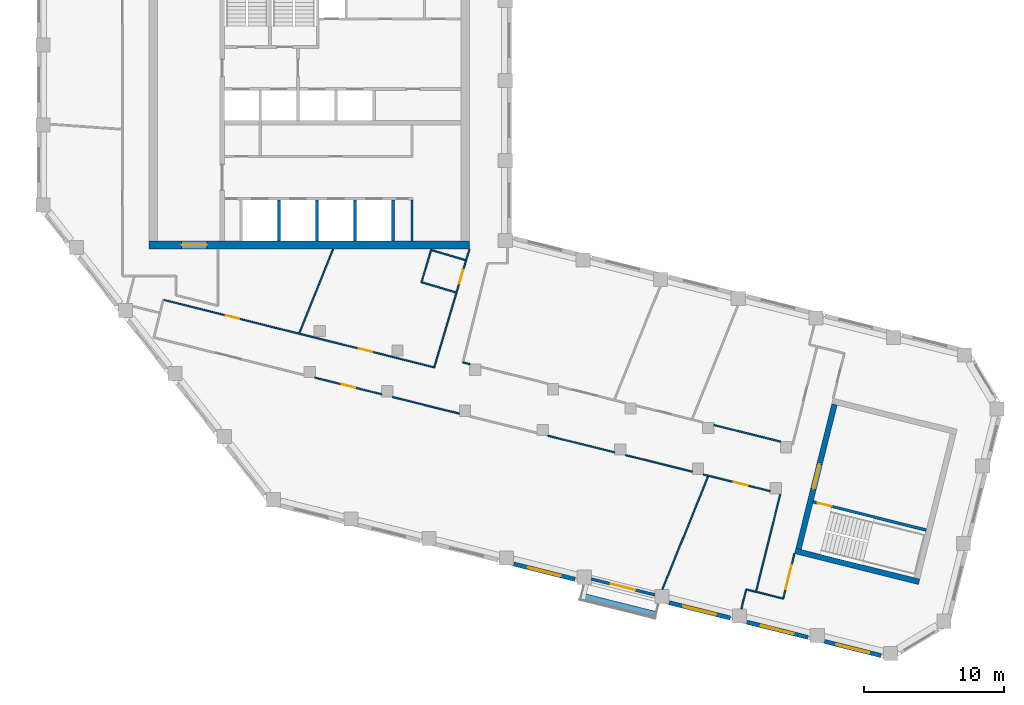
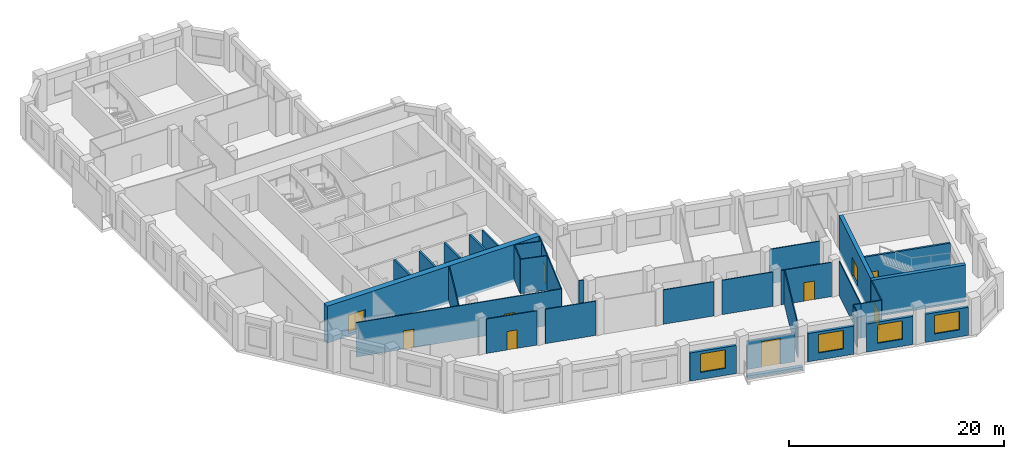
# One storey, part 3 of 9: 34 walls, 10 doors, 4 windows, 14 openings.
"""IFC4 building model written with IfcOpenShell, lengths in metres."""

from ifc_helpers import new_model, si_unit, direction, frame, frame_2d, origin, place, context, subcontext, project, spatial, rectangle, extrude, material, layer, layer_set, type_object, element, fill, save


model = new_model("IFC4")

# Units and contexts
model_context = context("Model", 3, precision=1e-05, world=origin(), true_north=direction((0.0, 1.0)))
body_context = subcontext(model_context, "Body", "Model", "MODEL_VIEW")
ifc_project = project(units=[si_unit("LENGTHUNIT", "METRE"), si_unit("AREAUNIT", "SQUARE_METRE"), si_unit("VOLUMEUNIT", "CUBIC_METRE"), si_unit("PLANEANGLEUNIT", "RADIAN"), si_unit("MASSUNIT", "GRAM", prefix="KILO")], contexts=[model_context])

# Site, building, storey
site_placement = place(None, origin())
site = spatial("IfcSite", under=ifc_project, at=site_placement, CompositionType="ELEMENT")
building_placement = place(site_placement, origin())
building = spatial("IfcBuilding", under=site, at=building_placement, Name="Meshkara Civic Tower", CompositionType="ELEMENT")
storey_placement = place(building_placement, frame((0.0, 0.0, 302.39990234375)))
storey = spatial("IfcBuildingStorey", under=building, at=storey_placement, Name="L69", CompositionType="ELEMENT", Elevation=302.39990234375)

# Wall
ifc_material_1 = material(Name="Blockwork", Category="masonry")
ifc_layer_1 = layer(ifc_material_1, 0.14990234375)
ifc_layer_set_1 = layer_set([ifc_layer_1], Name="Core partition 150")
wall_type_1 = type_object("IfcWallType", Name="Core partition 150", PredefinedType="PARTITIONING", material=ifc_layer_set_1)
wall_1_placement = place(storey_placement, frame((26.699951171875, 14.699951171875, 0.0), z_axis=(0.0, 0.0, 1.0), x_axis=(0.0, 1.0, 0.0)))
element("IfcWall", 1, at=wall_1_placement, inside=storey, type_object=wall_type_1, Name="L69-C024", PredefinedType="PARTITIONING", context=body_context, shape_type="SweptSolid", body=[
    extrude(rectangle(XDim=2.900146484375, YDim=0.14990234375, at=frame_2d((1.4501953125, 0.0))), origin(), (0.0, 0.0, 1.0), 3.900146484375),
])

# Wall, opening, door
ifc_material_2 = material(Name="Concrete C60", Category="concrete")
ifc_layer_2 = layer(ifc_material_2, 0.60009765625)
ifc_layer_set_2 = layer_set([ifc_layer_2], Name="Core ring wall 600 C60")
wall_type_2 = type_object("IfcWallType", Name="Core ring wall 600 C60", PredefinedType="SHEAR", material=ifc_layer_set_2)
wall_2_placement = place(storey_placement, frame((8.0, 14.39990234375, -0.2998046875), z_axis=(0.0, 0.0, 1.0), x_axis=(1.0, 0.0, 0.0)))
wall_2 = element("IfcWall", 2, at=wall_2_placement, inside=storey, type_object=wall_type_2, Name="L69-C001", PredefinedType="SHEAR", context=body_context, shape_type="SweptSolid", body=[
    extrude(rectangle(XDim=22.800048828125, YDim=0.60009765625, at=frame_2d((11.39990234375, 0.0))), origin(), (0.0, 0.0, 1.0), 4.199951171875),
])
opening_1_placement = place(wall_2_placement, frame((2.300048828125, 0.0, 0.300048828125)))
opening_1 = element("IfcOpeningElement", 3, at=opening_1_placement, cuts=wall_2, Name="Opening L69-K023", PredefinedType="OPENING", context=body_context, shape_type="SweptSolid", body=[
    extrude(rectangle(XDim=1.800048828125, YDim=2.10009765625, at=frame_2d((0.89990234375, 1.050048828125))), frame((0.0, 0.31005859375, 0.0), z_axis=(0.0, -1.0, 0.0), x_axis=(1.0, 0.0, 0.0)), (0.0, 0.0, 1.0), 0.6201171875),
])
ifc_material_3 = material(Name="Fire-rated door leaf in steel frame", Category="steel")
door_type_1 = type_object("IfcDoorType", Name="Core double door 1800 EI 60", OperationType="DOUBLE_DOOR_SINGLE_SWING", PredefinedType="DOOR", material=ifc_material_3)
door_1_placement = place(opening_1_placement, origin())
door_1 = element("IfcDoor", 4, at=door_1_placement, inside=storey, type_object=door_type_1, Name="L69-K023", OperationType="DOUBLE_DOOR_SINGLE_SWING", OverallHeight=2.10009765625, OverallWidth=1.800048828125, PredefinedType="DOOR", context=body_context, shape_type="SweptSolid", body=[
    extrude(rectangle(XDim=1.800048828125, YDim=2.10009765625, at=frame_2d((0.89990234375, 1.050048828125))), frame((0.0, 0.02490234375, 0.0), z_axis=(0.0, -1.0, 0.0), x_axis=(1.0, 0.0, 0.0)), (0.0, 0.0, 1.0), 0.050048828125),
])
fill(opening_1, door_1)

# Wall, openings, doors
ifc_material_4 = material(Name="Corridor wall 100")
ifc_layer_3 = layer(ifc_material_4, 0.10009765625)
ifc_layer_set_3 = layer_set([ifc_layer_3], Name="Corridor wall 100")
wall_type_3 = type_object("IfcWallType", Name="Corridor wall 100", PredefinedType="PARTITIONING", material=ifc_layer_set_3)
wall_3_placement = place(storey_placement, frame((9.001953125, 10.4990234375, 0.0), z_axis=(0.0, 0.0, 1.0), x_axis=(0.970298340477, -0.241911410372, 0.0)))
wall_3 = element("IfcWall", 5, at=wall_3_placement, inside=storey, type_object=wall_type_3, Name="L69-W007", PredefinedType="PARTITIONING", context=body_context, shape_type="SweptSolid", body=[
    extrude(rectangle(XDim=19.879638671875, YDim=0.10009765625, at=frame_2d((9.93994140625, 0.0))), origin(), (0.0, 0.0, 1.0), 3.900146484375),
])
opening_2_placement = place(wall_3_placement, frame((4.580078125, 0.0, 0.0)))
opening_2 = element("IfcOpeningElement", 6, at=opening_2_placement, cuts=wall_3, Name="Opening L69-D009", PredefinedType="OPENING", context=body_context, shape_type="SweptSolid", body=[
    extrude(rectangle(XDim=1.0, YDim=2.10009765625, at=frame_2d((0.5, 1.050048828125))), frame((0.0, 0.06005859375, 0.0), z_axis=(0.0, -1.0, 0.0), x_axis=(1.0, 0.0, 0.0)), (0.0, 0.0, 1.0), 0.1201171875),
])
opening_3_placement = place(wall_3_placement, frame((14.343017578125, 0.0, 0.0)))
opening_3 = element("IfcOpeningElement", 7, at=opening_3_placement, cuts=wall_3, Name="Opening L69-D010", PredefinedType="OPENING", context=body_context, shape_type="SweptSolid", body=[
    extrude(rectangle(XDim=1.0, YDim=2.10009765625, at=frame_2d((0.5, 1.050048828125))), frame((0.0, 0.06005859375, 0.0), z_axis=(0.0, -1.0, 0.0), x_axis=(1.0, 0.0, 0.0)), (0.0, 0.0, 1.0), 0.1201171875),
])
ifc_material_5 = material(Name="Door 1000 x 2100")
door_type_2 = type_object("IfcDoorType", Name="Door 1000 x 2100", OperationType="SINGLE_SWING_LEFT", PredefinedType="DOOR", material=ifc_material_5)
door_2_placement = place(opening_2_placement, origin())
door_2 = element("IfcDoor", 8, at=door_2_placement, inside=storey, type_object=door_type_2, Name="L69-D009", OperationType="SINGLE_SWING_RIGHT", OverallHeight=2.10009765625, OverallWidth=1.0, PredefinedType="DOOR", context=body_context, shape_type="SweptSolid", body=[
    extrude(rectangle(XDim=1.0, YDim=2.10009765625, at=frame_2d((0.5, 1.050048828125))), frame((0.0, 0.02490234375, 0.0), z_axis=(0.0, -1.0, 0.0), x_axis=(1.0, 0.0, 0.0)), (0.0, 0.0, 1.0), 0.050048828125),
])
fill(opening_2, door_2)
door_3_placement = place(opening_3_placement, origin())
door_3 = element("IfcDoor", 9, at=door_3_placement, inside=storey, type_object=door_type_2, Name="L69-D010", OperationType="SINGLE_SWING_LEFT", OverallHeight=2.10009765625, OverallWidth=1.0, PredefinedType="DOOR", context=body_context, shape_type="SweptSolid", body=[
    extrude(rectangle(XDim=1.0, YDim=2.10009765625, at=frame_2d((0.5, 1.050048828125))), frame((0.0, 0.02490234375, 0.0), z_axis=(0.0, -1.0, 0.0), x_axis=(1.0, 0.0, 0.0)), (0.0, 0.0, 1.0), 0.050048828125),
])
fill(opening_3, door_3)

# Wall, opening, door
wall_4_placement = place(storey_placement, frame((19.785888671875, 4.9599609375, 0.0), z_axis=(0.0, 0.0, 1.0), x_axis=(0.970335085454, -0.241763979817, 0.0)))
wall_4 = element("IfcWall", 10, at=wall_4_placement, inside=storey, type_object=wall_type_3, Name="L69-W016", PredefinedType="PARTITIONING", context=body_context, shape_type="SweptSolid", body=[
    extrude(rectangle(XDim=4.913818359375, YDim=0.10009765625, at=frame_2d((2.45703125, 0.0))), origin(), (0.0, 0.0, 1.0), 3.900146484375),
])
opening_4_placement = place(wall_4_placement, frame((1.97998046875, 0.0, 0.0)))
opening_4 = element("IfcOpeningElement", 11, at=opening_4_placement, cuts=wall_4, Name="Opening L69-D003", PredefinedType="OPENING", context=body_context, shape_type="SweptSolid", body=[
    extrude(rectangle(XDim=1.0, YDim=2.10009765625, at=frame_2d((0.5, 1.050048828125))), frame((0.0, 0.06005859375, 0.0), z_axis=(0.0, -1.0, 0.0), x_axis=(1.0, 0.0, 0.0)), (0.0, 0.0, 1.0), 0.1201171875),
])
door_4_placement = place(opening_4_placement, origin())
door_4 = element("IfcDoor", 12, at=door_4_placement, inside=storey, type_object=door_type_2, Name="L69-D003", OperationType="SINGLE_SWING_LEFT", OverallHeight=2.10009765625, OverallWidth=1.0, PredefinedType="DOOR", context=body_context, shape_type="SweptSolid", body=[
    extrude(rectangle(XDim=1.0, YDim=2.10009765625, at=frame_2d((0.5, 1.050048828125))), frame((0.0, 0.02490234375, 0.0), z_axis=(0.0, -1.0, 0.0), x_axis=(1.0, 0.0, 0.0)), (0.0, 0.0, 1.0), 0.050048828125),
])
fill(opening_4, door_4)

# Wall
wall_5_placement = place(storey_placement, frame((25.319091796875, 3.5810546875, 0.0), z_axis=(0.0, 0.0, 1.0), x_axis=(0.970308932068, -0.2418689239, 0.0)))
element("IfcWall", 13, at=wall_5_placement, inside=storey, type_object=wall_type_3, Name="L69-W019", PredefinedType="PARTITIONING", context=body_context, shape_type="SweptSolid", body=[
    extrude(rectangle(XDim=4.91162109375, YDim=0.10009765625, at=frame_2d((2.455810546875, 0.0))), origin(), (0.0, 0.0, 1.0), 3.900146484375),
])

# Wall, opening, door
wall_6_placement = place(storey_placement, frame((28.291015625, 5.68994140625, 0.0), z_axis=(0.0, 0.0, 1.0), x_axis=(0.28588265334, 0.958264633867, 0.0)))
wall_6 = element("IfcWall", 14, at=wall_6_placement, inside=storey, type_object=wall_type_3, Name="L69-W020", PredefinedType="PARTITIONING", context=body_context, shape_type="SweptSolid", body=[
    extrude(rectangle(XDim=8.7763671875, YDim=0.10009765625, at=frame_2d((4.38818359375, 0.0))), origin(), (0.0, 0.0, 1.0), 3.900146484375),
])
opening_5_placement = place(wall_6_placement, frame((6.22998046875, 0.0, 0.0)))
opening_5 = element("IfcOpeningElement", 15, at=opening_5_placement, cuts=wall_6, Name="Opening L69-D012", PredefinedType="OPENING", context=body_context, shape_type="SweptSolid", body=[
    extrude(rectangle(XDim=1.0, YDim=2.10009765625, at=frame_2d((0.5, 1.050048828125))), frame((0.0, 0.06005859375, 0.0), z_axis=(0.0, -1.0, 0.0), x_axis=(1.0, 0.0, 0.0)), (0.0, 0.0, 1.0), 0.1201171875),
])
door_5_placement = place(opening_5_placement, origin())
door_5 = element("IfcDoor", 16, at=door_5_placement, inside=storey, type_object=door_type_2, Name="L69-D012", OperationType="SINGLE_SWING_LEFT", OverallHeight=2.10009765625, OverallWidth=1.0, PredefinedType="DOOR", context=body_context, shape_type="SweptSolid", body=[
    extrude(rectangle(XDim=1.0, YDim=2.10009765625, at=frame_2d((0.5, 1.050048828125))), frame((0.0, 0.02490234375, 0.0), z_axis=(0.0, -1.0, 0.0), x_axis=(1.0, 0.0, 0.0)), (0.0, 0.0, 1.0), 0.050048828125),
])
fill(opening_5, door_5)

# Walls
wall_7_placement = place(storey_placement, frame((30.844970703125, 5.9130859375, 0.0), z_axis=(0.0, 0.0, 1.0), x_axis=(-0.970279216762, 0.241988102022, 0.0)))
element("IfcWall", 17, at=wall_7_placement, inside=storey, type_object=wall_type_3, Name="L69-W022", PredefinedType="PARTITIONING", context=body_context, shape_type="SweptSolid", body=[
    extrude(rectangle(XDim=0.524658203125, YDim=0.10009765625, at=frame_2d((0.26220703125, 0.0))), origin(), (0.0, 0.0, 1.0), 3.900146484375),
])
for number, where, z_axis, x_axis, name in (
    (18, (36.383056640625, 0.822998046875, 0.0), (0.0, 0.0, 1.0), (0.970274007865, -0.242008986738, 0.0), "L69-W027"),
    (19, (41.9140625, -0.555908203125, 0.0), (0.0, 0.0, 1.0), (0.970274007865, -0.242008986738, 0.0), "L69-W030"),
):
    element("IfcWall", number, at=place(storey_placement, frame(where, z_axis=z_axis, x_axis=x_axis)), inside=storey, type_object=wall_type_3, Name=name, PredefinedType="PARTITIONING", context=body_context, shape_type="SweptSolid", body=[
        extrude(rectangle(XDim=4.908935546875, YDim=0.10009765625, at=frame_2d((2.45458984375, 0.0))), origin(), (0.0, 0.0, 1.0), 3.900146484375),
    ])

# Wall, opening, door
wall_8_placement = place(storey_placement, frame((47.444091796875, -1.93505859375, 0.0), z_axis=(0.0, 0.0, 1.0), x_axis=(0.970285656006, -0.241962281665, 0.0)))
wall_8 = element("IfcWall", 20, at=wall_8_placement, inside=storey, type_object=wall_type_3, Name="L69-W032", PredefinedType="PARTITIONING", context=body_context, shape_type="SweptSolid", body=[
    extrude(rectangle(XDim=4.909912109375, YDim=0.10009765625, at=frame_2d((2.455078125, 0.0))), origin(), (0.0, 0.0, 1.0), 3.900146484375),
])
opening_6_placement = place(wall_8_placement, frame((2.2470703125, 0.0, 0.0)))
opening_6 = element("IfcOpeningElement", 21, at=opening_6_placement, cuts=wall_8, Name="Opening L69-D002", PredefinedType="OPENING", context=body_context, shape_type="SweptSolid", body=[
    extrude(rectangle(XDim=1.0, YDim=2.10009765625, at=frame_2d((0.5, 1.050048828125))), frame((0.0, 0.06005859375, 0.0), z_axis=(0.0, -1.0, 0.0), x_axis=(1.0, 0.0, 0.0)), (0.0, 0.0, 1.0), 0.1201171875),
])
door_6_placement = place(opening_6_placement, origin())
door_6 = element("IfcDoor", 22, at=door_6_placement, inside=storey, type_object=door_type_2, Name="L69-D002", OperationType="SINGLE_SWING_LEFT", OverallHeight=2.10009765625, OverallWidth=1.0, PredefinedType="DOOR", context=body_context, shape_type="SweptSolid", body=[
    extrude(rectangle(XDim=1.0, YDim=2.10009765625, at=frame_2d((0.5, 1.050048828125))), frame((0.0, 0.02490234375, 0.0), z_axis=(0.0, -1.0, 0.0), x_axis=(1.0, 0.0, 0.0)), (0.0, 0.0, 1.0), 0.050048828125),
])
fill(opening_6, door_6)

# Walls
wall_9_placement = place(storey_placement, frame((51.200927734375, -10.2919921875, 0.0), z_axis=(0.0, 0.0, 1.0), x_axis=(0.970307382734, -0.241875139301, 0.0)))
element("IfcWall", 23, at=wall_9_placement, inside=storey, type_object=wall_type_3, Name="L69-W033", PredefinedType="PARTITIONING", context=body_context, shape_type="SweptSolid", body=[
    extrude(rectangle(XDim=2.00048828125, YDim=0.10009765625, at=frame_2d((1.000244140625, 0.0))), origin(), (0.0, 0.0, 1.0), 3.900146484375),
])
wall_10_placement = place(storey_placement, frame((52.94091796875, -3.31396484375, 0.0), z_axis=(0.0, 0.0, 1.0), x_axis=(-0.241944492524, -0.97029009195, 0.0)))
element("IfcWall", 24, at=wall_10_placement, inside=storey, type_object=wall_type_3, Name="L69-W034", PredefinedType="PARTITIONING", context=body_context, shape_type="SweptSolid", body=[
    extrude(rectangle(XDim=7.191650390625, YDim=0.10009765625, at=frame_2d((3.595703125, 0.0))), origin(), (0.0, 0.0, 1.0), 3.900146484375),
])
wall_11_placement = place(storey_placement, frame((52.971923828125, 0.39697265625, 0.0), z_axis=(0.0, 0.0, 1.0), x_axis=(-0.970300077675, 0.241904442422, 0.0)))
element("IfcWall", 25, at=wall_11_placement, inside=storey, type_object=wall_type_3, Name="L69-W035", PredefinedType="PARTITIONING", context=body_context, shape_type="SweptSolid", body=[
    extrude(rectangle(XDim=4.9150390625, YDim=0.10009765625, at=frame_2d((2.45751953125, 0.0))), origin(), (0.0, 0.0, 1.0), 3.900146484375),
])

# Wall, opening, door
wall_12_placement = place(storey_placement, frame((53.14208984375, -10.77587890625, 0.0), z_axis=(0.0, 0.0, 1.0), x_axis=(0.241786986316, 0.970329352977, 0.0)))
wall_12 = element("IfcWall", 26, at=wall_12_placement, inside=storey, type_object=wall_type_3, Name="L69-W036", PredefinedType="PARTITIONING", context=body_context, shape_type="SweptSolid", body=[
    extrude(rectangle(XDim=3.2998046875, YDim=0.10009765625, at=frame_2d((1.64990234375, 0.0))), origin(), (0.0, 0.0, 1.0), 3.900146484375),
])
opening_7_placement = place(wall_12_placement, frame((0.679931640625, 0.0, 0.0)))
opening_7 = element("IfcOpeningElement", 27, at=opening_7_placement, cuts=wall_12, Name="Opening L69-D001", PredefinedType="OPENING", context=body_context, shape_type="SweptSolid", body=[
    extrude(rectangle(XDim=1.800048828125, YDim=2.10009765625, at=frame_2d((0.89990234375, 1.050048828125))), frame((0.0, 0.06005859375, 0.0), z_axis=(0.0, -1.0, 0.0), x_axis=(1.0, 0.0, 0.0)), (0.0, 0.0, 1.0), 0.1201171875),
])
ifc_material_6 = material(Name="Door pair 1800 x 2100")
door_type_3 = type_object("IfcDoorType", Name="Door pair 1800 x 2100", OperationType="SINGLE_SWING_LEFT", PredefinedType="DOOR", material=ifc_material_6)
door_7_placement = place(opening_7_placement, origin())
door_7 = element("IfcDoor", 28, at=door_7_placement, inside=storey, type_object=door_type_3, Name="L69-D001", OperationType="DOUBLE_DOOR_SINGLE_SWING", OverallHeight=2.10009765625, OverallWidth=1.800048828125, PredefinedType="DOOR", context=body_context, shape_type="SweptSolid", body=[
    extrude(rectangle(XDim=1.800048828125, YDim=2.10009765625, at=frame_2d((0.89990234375, 1.050048828125))), frame((0.0, 0.02490234375, 0.0), z_axis=(0.0, -1.0, 0.0), x_axis=(1.0, 0.0, 0.0)), (0.0, 0.0, 1.0), 0.050048828125),
])
fill(opening_7, door_7)

# Wall, opening, window
ifc_material_7 = material(Name="Insulated infill panel with bronze anodised aluminium cladding", Category="aluminium")
ifc_layer_4 = layer(ifc_material_7, 0.300048828125)
ifc_layer_set_4 = layer_set([ifc_layer_4], Name="EXTERNAL INFILL WALL 300")
wall_type_4 = type_object("IfcWallType", Name="EXTERNAL INFILL WALL 300", PredefinedType="SOLIDWALL", material=ifc_layer_set_4)
wall_13_placement = place(storey_placement, frame((33.958984375, -8.31201171875, 0.0), z_axis=(0.0, 0.0, 1.0), x_axis=(0.970276766004, -0.241997928406, 0.0)))
wall_13 = element("IfcWall", 29, at=wall_13_placement, inside=storey, type_object=wall_type_4, Name="External wall", PredefinedType="SOLIDWALL", context=body_context, shape_type="SweptSolid", body=[
    extrude(rectangle(XDim=4.4873046875, YDim=0.300048828125, at=frame_2d((2.24365234375, 0.0))), origin(), (0.0, 0.0, 1.0), 3.2001953125),
])
opening_8_placement = place(wall_13_placement, frame((1.0439453125, 0.0, 0.800048828125)))
opening_8 = element("IfcOpeningElement", 30, at=opening_8_placement, cuts=wall_13, Name="Opening W7", PredefinedType="OPENING", context=body_context, shape_type="SweptSolid", body=[
    extrude(rectangle(XDim=2.39990234375, YDim=2.10009765625, at=frame_2d((1.199951171875, 1.050048828125))), frame((0.0, 0.159912109375, 0.0), z_axis=(0.0, -1.0, 0.0), x_axis=(1.0, 0.0, 0.0)), (0.0, 0.0, 1.0), 0.320068359375),
])
ifc_material_8 = material(Name="Tinted double glazing", Category="glass")
window_type = type_object("IfcWindowType", Name="WINDOW 2400x2100", PartitioningType="DOUBLE_PANEL_VERTICAL", PredefinedType="WINDOW", material=ifc_material_8)
window_1_placement = place(opening_8_placement, origin())
window_1 = element("IfcWindow", 31, at=window_1_placement, inside=storey, type_object=window_type, Name="Window", OverallHeight=2.10009765625, OverallWidth=2.39990234375, PartitioningType="DOUBLE_PANEL_VERTICAL", PredefinedType="WINDOW", context=body_context, shape_type="SweptSolid", body=[
    extrude(rectangle(XDim=2.39990234375, YDim=2.10009765625, at=frame_2d((1.199951171875, 1.050048828125))), frame((0.0, 0.030029296875, 0.0), z_axis=(0.0, -1.0, 0.0), x_axis=(1.0, 0.0, 0.0)), (0.0, 0.0, 1.0), 0.06005859375),
])
fill(opening_8, window_1)

wall_14_placement = place(storey_placement, frame((45.02001953125, -11.070068359375, 0.0), z_axis=(0.0, 0.0, 1.0), x_axis=(0.970276766004, -0.241997928406, 0.0)))
wall_14 = element("IfcWall", 32, at=wall_14_placement, inside=storey, type_object=wall_type_4, Name="External wall", PredefinedType="SOLIDWALL", context=body_context, shape_type="SweptSolid", body=[
    extrude(rectangle(XDim=4.4873046875, YDim=0.300048828125, at=frame_2d((2.24365234375, 0.0))), origin(), (0.0, 0.0, 1.0), 3.2001953125),
])
opening_9_placement = place(wall_14_placement, frame((1.0439453125, 0.0, 0.800048828125)))
opening_9 = element("IfcOpeningElement", 33, at=opening_9_placement, cuts=wall_14, Name="Opening W7", PredefinedType="OPENING", context=body_context, shape_type="SweptSolid", body=[
    extrude(rectangle(XDim=2.39990234375, YDim=2.10009765625, at=frame_2d((1.199951171875, 1.050048828125))), frame((0.0, 0.159912109375, 0.0), z_axis=(0.0, -1.0, 0.0), x_axis=(1.0, 0.0, 0.0)), (0.0, 0.0, 1.0), 0.320068359375),
])
window_2_placement = place(opening_9_placement, origin())
window_2 = element("IfcWindow", 34, at=window_2_placement, inside=storey, type_object=window_type, Name="Window", OverallHeight=2.10009765625, OverallWidth=2.39990234375, PartitioningType="DOUBLE_PANEL_VERTICAL", PredefinedType="WINDOW", context=body_context, shape_type="SweptSolid", body=[
    extrude(rectangle(XDim=2.39990234375, YDim=2.10009765625, at=frame_2d((1.199951171875, 1.050048828125))), frame((0.0, 0.030029296875, 0.0), z_axis=(0.0, -1.0, 0.0), x_axis=(1.0, 0.0, 0.0)), (0.0, 0.0, 1.0), 0.06005859375),
])
fill(opening_9, window_2)

wall_15_placement = place(storey_placement, frame((50.551025390625, -12.448974609375, 0.0), z_axis=(0.0, 0.0, 1.0), x_axis=(0.970276766004, -0.241997928406, 0.0)))
wall_15 = element("IfcWall", 35, at=wall_15_placement, inside=storey, type_object=wall_type_4, Name="External wall", PredefinedType="SOLIDWALL", context=body_context, shape_type="SweptSolid", body=[
    extrude(rectangle(XDim=4.4873046875, YDim=0.300048828125, at=frame_2d((2.24365234375, 0.0))), origin(), (0.0, 0.0, 1.0), 3.2001953125),
])
opening_10_placement = place(wall_15_placement, frame((1.0439453125, 0.0, 0.800048828125)))
opening_10 = element("IfcOpeningElement", 36, at=opening_10_placement, cuts=wall_15, Name="Opening W7", PredefinedType="OPENING", context=body_context, shape_type="SweptSolid", body=[
    extrude(rectangle(XDim=2.39990234375, YDim=2.10009765625, at=frame_2d((1.199951171875, 1.050048828125))), frame((0.0, 0.159912109375, 0.0), z_axis=(0.0, -1.0, 0.0), x_axis=(1.0, 0.0, 0.0)), (0.0, 0.0, 1.0), 0.320068359375),
])
window_3_placement = place(opening_10_placement, origin())
window_3 = element("IfcWindow", 37, at=window_3_placement, inside=storey, type_object=window_type, Name="Window", OverallHeight=2.10009765625, OverallWidth=2.39990234375, PartitioningType="DOUBLE_PANEL_VERTICAL", PredefinedType="WINDOW", context=body_context, shape_type="SweptSolid", body=[
    extrude(rectangle(XDim=2.39990234375, YDim=2.10009765625, at=frame_2d((1.199951171875, 1.050048828125))), frame((0.0, 0.030029296875, 0.0), z_axis=(0.0, -1.0, 0.0), x_axis=(1.0, 0.0, 0.0)), (0.0, 0.0, 1.0), 0.06005859375),
])
fill(opening_10, window_3)

wall_16_placement = place(storey_placement, frame((56.0810546875, -13.827880859375, 0.0), z_axis=(0.0, 0.0, 1.0), x_axis=(0.970246294139, -0.242120070853, 0.0)))
wall_16 = element("IfcWall", 38, at=wall_16_placement, inside=storey, type_object=wall_type_4, Name="External wall", PredefinedType="SOLIDWALL", context=body_context, shape_type="SweptSolid", body=[
    extrude(rectangle(XDim=4.147216796875, YDim=0.300048828125, at=frame_2d((2.07373046875, 0.0))), origin(), (0.0, 0.0, 1.0), 3.2001953125),
])
opening_11_placement = place(wall_16_placement, frame((0.8740234375, 0.0, 0.800048828125)))
opening_11 = element("IfcOpeningElement", 39, at=opening_11_placement, cuts=wall_16, Name="Opening W7", PredefinedType="OPENING", context=body_context, shape_type="SweptSolid", body=[
    extrude(rectangle(XDim=2.39990234375, YDim=2.10009765625, at=frame_2d((1.199951171875, 1.050048828125))), frame((0.0, 0.159912109375, 0.0), z_axis=(0.0, -1.0, 0.0), x_axis=(1.0, 0.0, 0.0)), (0.0, 0.0, 1.0), 0.320068359375),
])
window_4_placement = place(opening_11_placement, origin())
window_4 = element("IfcWindow", 40, at=window_4_placement, inside=storey, type_object=window_type, Name="Window", OverallHeight=2.10009765625, OverallWidth=2.39990234375, PartitioningType="DOUBLE_PANEL_VERTICAL", PredefinedType="WINDOW", context=body_context, shape_type="SweptSolid", body=[
    extrude(rectangle(XDim=2.39990234375, YDim=2.10009765625, at=frame_2d((1.199951171875, 1.050048828125))), frame((0.0, 0.030029296875, 0.0), z_axis=(0.0, -1.0, 0.0), x_axis=(1.0, 0.0, 0.0)), (0.0, 0.0, 1.0), 0.06005859375),
])
fill(opening_11, window_4)

# Wall
ifc_material_9 = material(Name="Concrete C60", Category="concrete")
ifc_layer_5 = layer(ifc_material_9, 0.39990234375)
ifc_layer_set_5 = layer_set([ifc_layer_5], Name="End core ring wall 400 C60")
wall_type_5 = type_object("IfcWallType", Name="End core ring wall 400 C60", PredefinedType="SHEAR", material=ifc_layer_set_5)
wall_17_placement = place(storey_placement, frame((53.988037109375, -7.3798828125, -0.2998046875), z_axis=(0.0, 0.0, 1.0), x_axis=(0.970281210621, -0.241980107272, 0.0)))
element("IfcWall", 41, at=wall_17_placement, inside=storey, type_object=wall_type_5, Name="L69-C032", PredefinedType="SHEAR", context=body_context, shape_type="SweptSolid", body=[
    extrude(rectangle(XDim=9.1005859375, YDim=0.39990234375, at=frame_2d((4.55029296875, 0.0))), origin(), (0.0, 0.0, 1.0), 4.199951171875),
])

# Wall, opening, door
wall_18_placement = place(storey_placement, frame((54.23095703125, -7.23388671875, -0.2998046875), z_axis=(0.0, 0.0, 1.0), x_axis=(0.241890652548, 0.970303515509, 0.0)))
wall_18 = element("IfcWall", 42, at=wall_18_placement, inside=storey, type_object=wall_type_5, Name="L69-C034", PredefinedType="SHEAR", context=body_context, shape_type="SweptSolid", body=[
    extrude(rectangle(XDim=10.599609375, YDim=0.39990234375, at=frame_2d((5.2998046875, 0.0))), origin(), (0.0, 0.0, 1.0), 4.199951171875),
])
opening_12_placement = place(wall_18_placement, frame((4.39990234375, 0.0, 0.300048828125)))
opening_12 = element("IfcOpeningElement", 43, at=opening_12_placement, cuts=wall_18, Name="Opening L69-K202", PredefinedType="OPENING", context=body_context, shape_type="SweptSolid", body=[
    extrude(rectangle(XDim=1.800048828125, YDim=2.10009765625, at=frame_2d((0.89990234375, 1.050048828125))), frame((0.0, 0.2099609375, 0.0), z_axis=(0.0, -1.0, 0.0), x_axis=(1.0, 0.0, 0.0)), (0.0, 0.0, 1.0), 0.419921875),
])
door_8_placement = place(opening_12_placement, origin())
door_8 = element("IfcDoor", 44, at=door_8_placement, inside=storey, type_object=door_type_1, Name="L69-K202", OperationType="DOUBLE_DOOR_SINGLE_SWING", OverallHeight=2.10009765625, OverallWidth=1.800048828125, PredefinedType="DOOR", context=body_context, shape_type="SweptSolid", body=[
    extrude(rectangle(XDim=1.800048828125, YDim=2.10009765625, at=frame_2d((0.89990234375, 1.050048828125))), frame((0.0, 0.02490234375, 0.0), z_axis=(0.0, -1.0, 0.0), x_axis=(1.0, 0.0, 0.0)), (0.0, 0.0, 1.0), 0.050048828125),
])
fill(opening_12, door_8)

ifc_material_10 = material(Name="Insulated infill panel with bronze anodised aluminium cladding", Category="aluminium")
ifc_layer_6 = layer(ifc_material_10, 0.199951171875)
ifc_layer_set_6 = layer_set([ifc_layer_6], Name="LOGGIA BACK WALL 200")
wall_type_6 = type_object("IfcWallType", Name="LOGGIA BACK WALL 200", PredefinedType="SOLIDWALL", material=ifc_layer_set_6)
wall_19_placement = place(storey_placement, frame((39.47412109375, -9.37890625, 0.0), z_axis=(0.0, 0.0, 1.0), x_axis=(0.970308390734, -0.241871095567, 0.0)))
wall_19 = element("IfcWall", 45, at=wall_19_placement, inside=storey, type_object=wall_type_6, Name="Loggia wall", PredefinedType="SOLIDWALL", context=body_context, shape_type="SweptSolid", body=[
    extrude(rectangle(XDim=4.66845703125, YDim=0.199951171875, at=frame_2d((2.334228515625, 0.0))), origin(), (0.0, 0.0, 1.0), 3.2001953125),
])
opening_13_placement = place(wall_19_placement, frame((1.43408203125, 0.0, 0.0)))
opening_13 = element("IfcOpeningElement", 46, at=opening_13_placement, cuts=wall_19, Name="Opening L69-L002", PredefinedType="OPENING", context=body_context, shape_type="SweptSolid", body=[
    extrude(rectangle(XDim=1.800048828125, YDim=2.89990234375, at=frame_2d((0.89990234375, 1.449951171875))), frame((0.0, 0.10986328125, 0.0), z_axis=(0.0, -1.0, 0.0), x_axis=(1.0, 0.0, 0.0)), (0.0, 0.0, 1.0), 0.219970703125),
])
ifc_material_11 = material(Name="Tinted double glazing", Category="glass")
door_type_4 = type_object("IfcDoorType", Name="LOGGIA DOOR 1800x2900", OperationType="DOUBLE_DOOR_SINGLE_SWING", PredefinedType="DOOR", material=ifc_material_11)
door_9_placement = place(opening_13_placement, origin())
door_9 = element("IfcDoor", 47, at=door_9_placement, inside=storey, type_object=door_type_4, Name="L69-L002", OperationType="DOUBLE_DOOR_SINGLE_SWING", OverallHeight=2.89990234375, OverallWidth=1.800048828125, PredefinedType="DOOR", context=body_context, shape_type="SweptSolid", body=[
    extrude(rectangle(XDim=1.800048828125, YDim=2.89990234375, at=frame_2d((0.89990234375, 1.449951171875))), frame((0.0, 0.02490234375, 0.0), z_axis=(0.0, -1.0, 0.0), x_axis=(1.0, 0.0, 0.0)), (0.0, 0.0, 1.0), 0.050048828125),
])
fill(opening_13, door_9)

# Walls
ifc_material_12 = material(Name="Concrete C40", Category="concrete")
ifc_layer_7 = layer(ifc_material_12, 0.39990234375)
ifc_layer_set_7 = layer_set([ifc_layer_7], Name="PLANTER TRAY")
wall_type_7 = type_object("IfcWallType", Name="PLANTER TRAY", PredefinedType="SOLIDWALL", material=ifc_layer_set_7)
wall_20_placement = place(storey_placement, frame((38.81689453125, -10.5849609375, 0.0), z_axis=(0.0, 0.0, 1.0), x_axis=(0.970270982915, -0.242021114189, 0.0)))
element("IfcWall", 48, at=wall_20_placement, inside=storey, type_object=wall_type_7, Name="Planter", PredefinedType="SOLIDWALL", context=body_context, shape_type="SweptSolid", body=[
    extrude(rectangle(XDim=5.359619140625, YDim=0.39990234375, at=frame_2d((2.6796875, 0.0))), origin(), (0.0, 0.0, 1.0), 0.300048828125),
])
ifc_material_13 = material(Name="Partition 100")
ifc_layer_8 = layer(ifc_material_13, 0.10009765625)
ifc_layer_set_8 = layer_set([ifc_layer_8], Name="Partition 100")
wall_type_8 = type_object("IfcWallType", Name="Partition 100", PredefinedType="PARTITIONING", material=ifc_layer_set_8)
wall_21_placement = place(storey_placement, frame((18.69091796875, 8.14208984375, 0.0), z_axis=(0.0, 0.0, 1.0), x_axis=(0.374447972071, 0.927247925968, 0.0)))
element("IfcWall", 49, at=wall_21_placement, inside=storey, type_object=wall_type_8, Name="L69-W046", PredefinedType="PARTITIONING", context=body_context, shape_type="SweptSolid", body=[
    extrude(rectangle(XDim=6.425537109375, YDim=0.10009765625, at=frame_2d((3.212890625, 0.0))), origin(), (0.0, 0.0, 1.0), 3.900146484375),
])
wall_22_placement = place(storey_placement, frame((27.385986328125, 11.751953125, 0.0), z_axis=(0.0, 0.0, 1.0), x_axis=(0.285826425332, 0.958281406781, 0.0)))
element("IfcWall", 50, at=wall_22_placement, inside=storey, type_object=wall_type_8, Name="L69-W049", PredefinedType="PARTITIONING", context=body_context, shape_type="SweptSolid", body=[
    extrude(rectangle(XDim=2.400146484375, YDim=0.10009765625, at=frame_2d((1.2001953125, 0.0))), origin(), (0.0, 0.0, 1.0), 3.900146484375),
])
for number, where, z_axis, x_axis, name in (
    (51, (28.072021484375, 14.052001953125, 0.0), (0.0, 0.0, 1.0), (0.95828086131, -0.285828254108, 0.0), "L69-W050"),
    (52, (29.830078125, 11.02294921875, 0.0), (0.0, 0.0, 1.0), (-0.95828086131, 0.285828254108, 0.0), "L69-W051"),
):
    element("IfcWall", number, at=place(storey_placement, frame(where, z_axis=z_axis, x_axis=x_axis)), inside=storey, type_object=wall_type_8, Name=name, PredefinedType="PARTITIONING", context=body_context, shape_type="SweptSolid", body=[
        extrude(rectangle(XDim=2.550537109375, YDim=0.10009765625, at=frame_2d((1.275390625, 0.0))), origin(), (0.0, 0.0, 1.0), 3.900146484375),
    ])
wall_23_placement = place(storey_placement, frame((44.533935546875, -10.133056640625, 0.0), z_axis=(0.0, 0.0, 1.0), x_axis=(0.37452392763, 0.927217249426, 0.0)))
element("IfcWall", 53, at=wall_23_placement, inside=storey, type_object=wall_type_8, Name="L69-W053", PredefinedType="PARTITIONING", context=body_context, shape_type="SweptSolid", body=[
    extrude(rectangle(XDim=8.686279296875, YDim=0.10009765625, at=frame_2d((4.34326171875, 0.0))), origin(), (0.0, 0.0, 1.0), 3.900146484375),
])
wall_24_placement = place(storey_placement, frame((50.159912109375, -11.511962890625, 0.0), z_axis=(0.0, 0.0, 1.0), x_axis=(0.241815333826, 0.970322288895, 0.0)))
element("IfcWall", 54, at=wall_24_placement, inside=storey, type_object=wall_type_8, Name="L69-W055", PredefinedType="PARTITIONING", context=body_context, shape_type="SweptSolid", body=[
    extrude(rectangle(XDim=1.435791015625, YDim=0.10009765625, at=frame_2d((0.7177734375, 0.0))), origin(), (0.0, 0.0, 1.0), 3.900146484375),
])
wall_25_placement = place(storey_placement, frame((50.507080078125, -10.118896484375, 0.0), z_axis=(0.0, 0.0, 1.0), x_axis=(0.970282083048, -0.241976609029, 0.0)))
element("IfcWall", 55, at=wall_25_placement, inside=storey, type_object=wall_type_8, Name="L69-W056", PredefinedType="PARTITIONING", context=body_context, shape_type="SweptSolid", body=[
    extrude(rectangle(XDim=0.719482421875, YDim=0.10009765625, at=frame_2d((0.35986328125, 0.0))), origin(), (0.0, 0.0, 1.0), 3.900146484375),
])
ifc_material_14 = material(Name="Concrete C40/50", Category="concrete")
ifc_layer_9 = layer(ifc_material_14, 0.199951171875)
ifc_layer_set_9 = layer_set([ifc_layer_9], Name="Shaft wall 200 C40/50")
wall_type_9 = type_object("IfcWallType", Name="Shaft wall 200 C40/50", PredefinedType="SOLIDWALL", material=ifc_layer_set_9)
for number, where, z_axis, x_axis, name in (
    (56, (17.25, 14.699951171875, 0.0), (0.0, 0.0, 1.0), (0.0, 1.0, 0.0), "L69-C015"),
    (57, (19.949951171875, 14.699951171875, 0.0), (0.0, 0.0, 1.0), (0.0, 1.0, 0.0), "L69-C017"),
    (58, (22.64990234375, 14.699951171875, 0.0), (0.0, 0.0, 1.0), (0.0, 1.0, 0.0), "L69-C021"),
    (59, (25.35009765625, 14.699951171875, 0.0), (0.0, 0.0, 1.0), (0.0, 1.0, 0.0), "L69-C023"),
):
    element("IfcWall", number, at=place(storey_placement, frame(where, z_axis=z_axis, x_axis=x_axis)), inside=storey, type_object=wall_type_9, Name=name, PredefinedType="SOLIDWALL", context=body_context, shape_type="SweptSolid", body=[
        extrude(rectangle(XDim=2.900146484375, YDim=0.199951171875, at=frame_2d((1.4501953125, 0.0))), origin(), (0.0, 0.0, 1.0), 3.900146484375),
    ])

# Wall, opening, door
ifc_material_15 = material(Name="Concrete C40/50", Category="concrete")
ifc_layer_10 = layer(ifc_material_15, 0.199951171875)
ifc_layer_set_10 = layer_set([ifc_layer_10], Name="Stair enclosure wall 200 C40/50")
wall_type_10 = type_object("IfcWallType", Name="Stair enclosure wall 200 C40/50", PredefinedType="SOLIDWALL", material=ifc_layer_set_10)
wall_26_placement = place(storey_placement, frame((55.27099609375, -3.886962890625, 0.0), z_axis=(0.0, 0.0, 1.0), x_axis=(0.970296288869, -0.241919639151, 0.0)))
wall_26 = element("IfcWall", 60, at=wall_26_placement, inside=storey, type_object=wall_type_10, Name="L69-C036", PredefinedType="SOLIDWALL", context=body_context, shape_type="SweptSolid", body=[
    extrude(rectangle(XDim=8.300537109375, YDim=0.199951171875, at=frame_2d((4.150390625, 0.0))), origin(), (0.0, 0.0, 1.0), 3.900146484375),
])
opening_14_placement = place(wall_26_placement, frame((0.35009765625, 0.0, 0.0)))
opening_14 = element("IfcOpeningElement", 61, at=opening_14_placement, cuts=wall_26, Name="Opening L69-K201", PredefinedType="OPENING", context=body_context, shape_type="SweptSolid", body=[
    extrude(rectangle(XDim=1.0, YDim=2.10009765625, at=frame_2d((0.5, 1.050048828125))), frame((0.0, 0.10986328125, 0.0), z_axis=(0.0, -1.0, 0.0), x_axis=(1.0, 0.0, 0.0)), (0.0, 0.0, 1.0), 0.219970703125),
])
ifc_material_16 = material(Name="Fire-rated door leaf in steel frame", Category="steel")
door_type_5 = type_object("IfcDoorType", Name="Stair door 1000 EI 120", OperationType="SINGLE_SWING_LEFT", PredefinedType="DOOR", material=ifc_material_16)
door_10_placement = place(opening_14_placement, origin())
door_10 = element("IfcDoor", 62, at=door_10_placement, inside=storey, type_object=door_type_5, Name="L69-K201", OperationType="SINGLE_SWING_LEFT", OverallHeight=2.10009765625, OverallWidth=1.0, PredefinedType="DOOR", context=body_context, shape_type="SweptSolid", body=[
    extrude(rectangle(XDim=1.0, YDim=2.10009765625, at=frame_2d((0.5, 1.050048828125))), frame((0.0, 0.02490234375, 0.0), z_axis=(0.0, -1.0, 0.0), x_axis=(1.0, 0.0, 0.0)), (0.0, 0.0, 1.0), 0.050048828125),
])
fill(opening_14, door_10)

save(model, "model.ifc")
